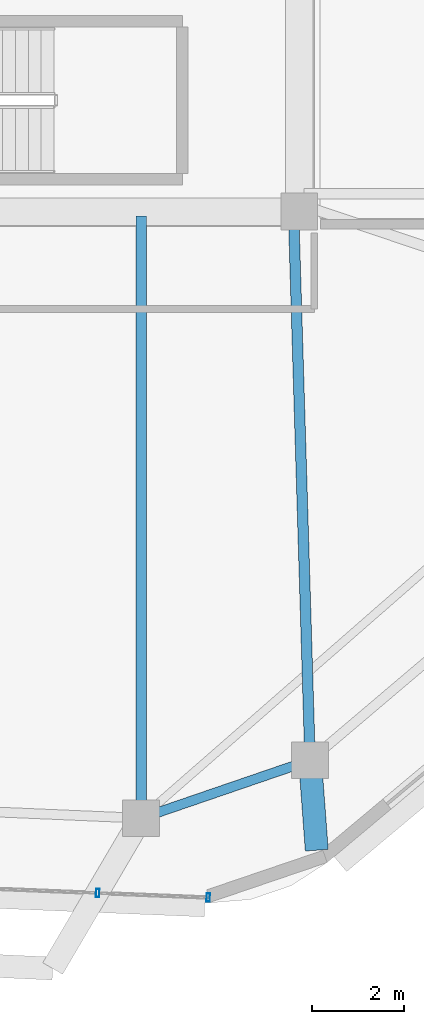
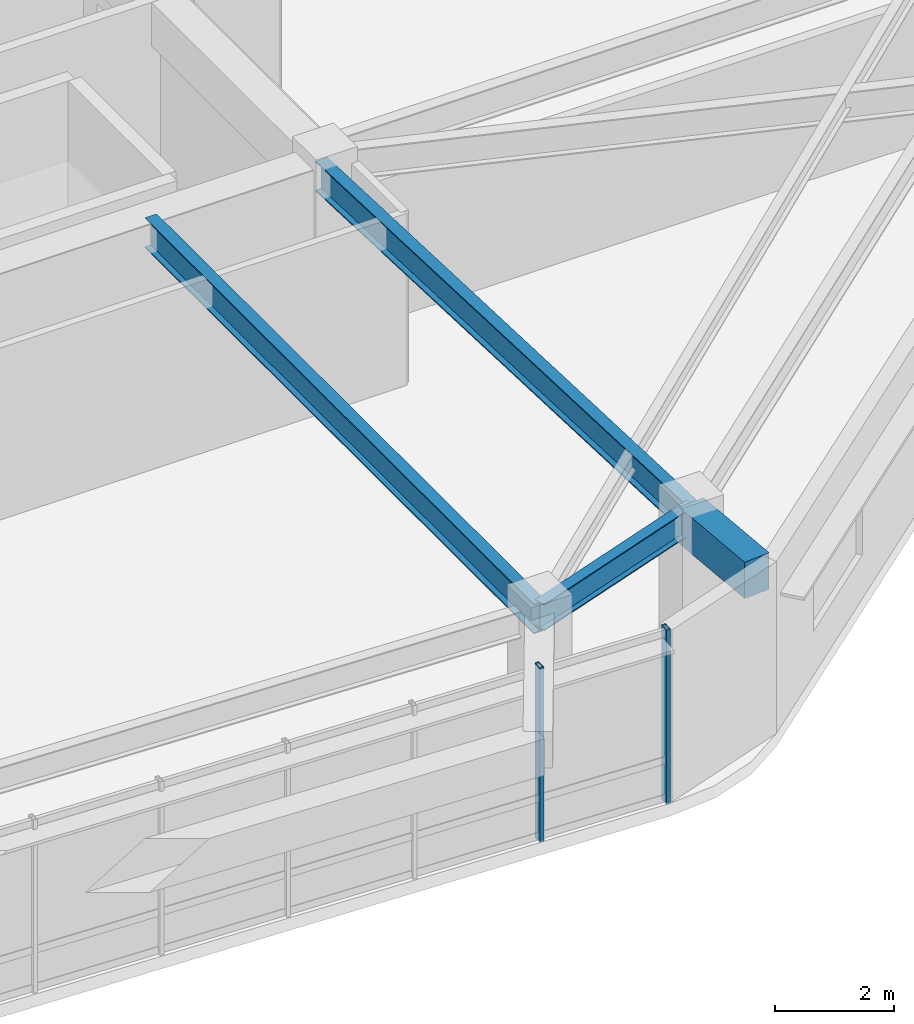
# One storey, part 5 of 13: 4 beams, 2 members, 1 element without a shape of its own.
"""IFC4 building model written with IfcOpenShell, lengths in metres."""

import ifcopenshell
import ifcopenshell.guid

model = None  # the IFC model being written
_history = None  # IfcOwnerHistory: only IFC2X3 demands one
_inside = {}  # id of a spatial element -> (the spatial element, [elements in it])
_under = {}  # id of a project, library or spatial element -> (it, [spatial elements below it])
_declared = {}  # id of a project -> (the project, [libraries it declares])
_typed = {}  # id of a type object -> (the type object, [elements of that type])
_made_of = {}  # id of a material, layer set ... -> (it, [elements and type objects made of it])


def new_model(schema):
    """Start an empty IFC model of exactly this schema.

    Asked for "IFC4X3", IfcOpenShell would pick the latest addendum, in which some entities
    have other attributes; the version numbers below select the first issue.
    IFC2X3 requires an IfcOwnerHistory on every rooted entity: one is made here for all.
    """
    global model, _history
    if schema == "IFC4X3":
        model = ifcopenshell.file(schema_version=(4, 3, 0, 0))
    else:
        model = ifcopenshell.file(schema=schema)
    _inside.clear()
    _under.clear()
    _declared.clear()
    _typed.clear()
    _made_of.clear()
    _history = None
    if model.schema == "IFC2X3":
        org = make("IfcOrganization", Name="unknown")
        user = make(
            "IfcPersonAndOrganization",
            ThePerson=make("IfcPerson", FamilyName="unknown"),
            TheOrganization=org,
        )
        app = make(
            "IfcApplication",
            ApplicationDeveloper=org,
            Version="unknown",
            ApplicationFullName="unknown",
            ApplicationIdentifier="unknown",
        )
        _history = make(
            "IfcOwnerHistory",
            OwningUser=user,
            OwningApplication=app,
            ChangeAction="ADDED",
            CreationDate=0,
        )
    return model


def make(cls, **values):
    """One entity of the class cls with the attributes given. An attribute that is None is left unset."""
    return model.create_entity(
        cls, **{name: value for name, value in values.items() if value is not None}
    )


def rooted(cls, **values):
    """An entity with a GlobalId (a new one), such as an element, a storey or a relation."""
    return make(cls, GlobalId=ifcopenshell.guid.new(), OwnerHistory=_history, **values)


def si_unit(unit_type, name, prefix=None):
    """IfcSIUnit, for example si_unit("LENGTHUNIT", "METRE", prefix="MILLI")."""
    return make("IfcSIUnit", UnitType=unit_type, Prefix=prefix, Name=name)


def assignment(units):
    """IfcUnitAssignment: the units of a project."""
    return None if units is None else make("IfcUnitAssignment", Units=units)


def point(xyz):
    """IfcCartesianPoint."""
    return None if xyz is None else make("IfcCartesianPoint", Coordinates=xyz)


def direction(xyz):
    """IfcDirection."""
    return None if xyz is None else make("IfcDirection", DirectionRatios=xyz)


def frame(location, z_axis=None, x_axis=None):
    """IfcAxis2Placement3D, a coordinate frame: its origin and axes. An axis left out is left unset."""
    return make(
        "IfcAxis2Placement3D",
        Location=point(location),
        Axis=direction(z_axis),
        RefDirection=direction(x_axis),
    )


def frame_2d(location, x_axis=None):
    """IfcAxis2Placement2D, a coordinate frame in the plane: its origin and x axis."""
    return make(
        "IfcAxis2Placement2D", Location=point(location), RefDirection=direction(x_axis)
    )


def origin():
    """The frame at (0, 0, 0) with its axes left unset."""
    return frame((0.0, 0.0, 0.0))


def origin_2d():
    """The frame at (0, 0) in the plane with its x axis left unset."""
    return frame_2d((0.0, 0.0))


def place(relative_to, where):
    """IfcLocalPlacement: puts the frame where relative to a parent placement (None: the world)."""
    return make(
        "IfcLocalPlacement", PlacementRelTo=relative_to, RelativePlacement=where
    )


def context(
    kind, dimensions, precision=None, world=None, true_north=None, identifier=None
):
    """IfcGeometricRepresentationContext, for example the 3D "Model" context."""
    return make(
        "IfcGeometricRepresentationContext",
        ContextIdentifier=identifier,
        ContextType=kind,
        CoordinateSpaceDimension=dimensions,
        Precision=precision,
        WorldCoordinateSystem=world,
        TrueNorth=true_north,
    )


def subcontext(parent, identifier, kind, view, scale=None):
    """IfcGeometricRepresentationSubContext, for example "Body" below "Model"."""
    return make(
        "IfcGeometricRepresentationSubContext",
        ContextIdentifier=identifier,
        ContextType=kind,
        ParentContext=parent,
        TargetScale=scale,
        TargetView=view,
    )


def project(units=None, contexts=None):
    """IfcProject with its units and contexts."""
    return rooted(
        "IfcProject",
        Name="project",
        RepresentationContexts=contexts,
        UnitsInContext=assignment(units),
    )


def spatial(cls, under=None, at=None, **own):
    """A site, building, storey or space (cls), placed at a placement, below another one or the project."""
    s = rooted(cls, ObjectPlacement=at, **own)
    if under is not None:
        _under.setdefault(under.id(), (under, []))[1].append(s)
    return s


def profile(cls, at=None, kind="AREA", **sizes):
    """A parametric profile (cls). Its sizes go by their IFC names, for example OverallWidth=200.0."""
    return make(cls, ProfileType=kind, Position=at, **sizes)


def rectangle(**sizes):
    """IfcRectangleProfileDef."""
    return profile("IfcRectangleProfileDef", **sizes)


def hollow_rectangle(**sizes):
    """IfcRectangleHollowProfileDef."""
    return profile("IfcRectangleHollowProfileDef", **sizes)


def i_section(**sizes):
    """IfcIShapeProfileDef."""
    return profile("IfcIShapeProfileDef", **sizes)


def extrude(swept, where, along, depth):
    """IfcExtrudedAreaSolid: the profile swept, set in the frame where, extruded along a direction by depth."""
    return make(
        "IfcExtrudedAreaSolid",
        SweptArea=swept,
        Position=where,
        ExtrudedDirection=direction(along),
        Depth=depth,
    )


def shape(context_of_items, identifier, shape_type, items):
    """IfcShapeRepresentation: the items that make up one representation, for example the "Body"."""
    return make(
        "IfcShapeRepresentation",
        ContextOfItems=context_of_items,
        RepresentationIdentifier=identifier,
        RepresentationType=shape_type,
        Items=items,
    )


def material(Name=None, Category=None):
    """IfcMaterial."""
    return make("IfcMaterial", Name=Name, Category=Category)


def material_profile(
    of_material, cross_section, Name=None, Category=None, Priority=None
):
    """IfcMaterialProfile: a cross section and its material."""
    return make(
        "IfcMaterialProfile",
        Name=Name,
        Material=of_material,
        Profile=cross_section,
        Priority=Priority,
        Category=Category,
    )


def profile_set(profiles, Name=None, composite=None):
    """IfcMaterialProfileSet."""
    return make(
        "IfcMaterialProfileSet",
        Name=Name,
        MaterialProfiles=profiles,
        CompositeProfile=composite,
    )


def made_of(thing, what):
    """Note that an element or type object is made of a material, layer set ...; save() writes the relation."""
    if what is not None:
        _made_of.setdefault(what.id(), (what, []))[1].append(thing)
    return thing


def type_object(cls, material=None, **own):
    """A type object (cls), such as IfcWallType, which elements share."""
    return made_of(rooted(cls, **own), material)


def element(
    cls,
    number,
    at=None,
    inside=None,
    cuts=None,
    type_object=None,
    material=None,
    context=None,
    identifier="Body",
    shape_type=None,
    held_by="IfcProductDefinitionShape",
    body=None,
    shapes=None,
    **own,
):
    """One element of the class cls, such as IfcWall. Its Tag is "e" and its number.

    at: its placement. inside: the storey or other place that contains it. cuts: it is an
    opening in that element (IfcRelVoidsElement). A single representation is given by context,
    identifier, shape_type and body (its items); several are given by shapes. held_by: the class
    of the entity that holds the representations. save() writes the other relations.
    """
    e = rooted(cls, Tag="e%d" % number, ObjectPlacement=at, **own)
    if body is not None:
        shapes = [shape(context, identifier, shape_type, body)]
    if shapes is not None:
        e.Representation = make(held_by, Representations=shapes)
    if inside is not None:
        _inside.setdefault(inside.id(), (inside, []))[1].append(e)
    if cuts is not None:
        rooted(
            "IfcRelVoidsElement", RelatingBuildingElement=cuts, RelatedOpeningElement=e
        )
    if type_object is not None:
        _typed.setdefault(type_object.id(), (type_object, []))[1].append(e)
    return made_of(e, material)


def aggregate(whole, parts):
    """IfcRelAggregates: a whole, such as a stair, and the parts it consists of."""
    return rooted("IfcRelAggregates", RelatingObject=whole, RelatedObjects=parts)


def save(model, path):
    """Write the relations noted so far, then the file.

    IfcRelAggregates (storeys below a building ...), IfcRelContainedInSpatialStructure (elements
    in a storey), IfcRelDefinesByType, IfcRelAssociatesMaterial and IfcRelDeclares: one each for
    every whole, place, type object, material and project.
    """
    for whole, parts in _under.values():
        aggregate(whole, parts)
    for where, things in _inside.values():
        rooted(
            "IfcRelContainedInSpatialStructure",
            RelatedElements=things,
            RelatingStructure=where,
        )
    for kind, things in _typed.values():
        rooted("IfcRelDefinesByType", RelatedObjects=things, RelatingType=kind)
    for what, things in _made_of.values():
        rooted("IfcRelAssociatesMaterial", RelatedObjects=things, RelatingMaterial=what)
    for by, libraries in _declared.values():
        rooted("IfcRelDeclares", RelatingContext=by, RelatedDefinitions=libraries)
    model.write(path)


model = new_model("IFC4")

# Units and contexts
model_context = context("Model", 3, precision=1e-05, world=origin(), true_north=direction((0.0, 1.0)))
body_context = subcontext(model_context, "Body", "Model", "MODEL_VIEW")
ifc_project = project(units=[si_unit("LENGTHUNIT", "METRE"), si_unit("AREAUNIT", "SQUARE_METRE"), si_unit("VOLUMEUNIT", "CUBIC_METRE"), si_unit("PLANEANGLEUNIT", "RADIAN"), si_unit("MASSUNIT", "GRAM", prefix="KILO")], contexts=[model_context])

# Site, building, storey
site_placement = place(None, origin())
site = spatial("IfcSite", under=ifc_project, at=site_placement, CompositionType="ELEMENT")
building_placement = place(site_placement, origin())
building = spatial("IfcBuilding", under=site, at=building_placement, Name="Zulverin Broadcast Headquarters", CompositionType="ELEMENT")
storey_placement = place(building_placement, frame((0.0, 0.0, 278.199951171875)))
storey = spatial("IfcBuildingStorey", under=building, at=storey_placement, Name="L71", CompositionType="ELEMENT", Elevation=278.199951171875)

# Beams
ifc_material_1 = material(Name="Concrete C40/50", Category="concrete")
ifc_material_profile_1 = material_profile(ifc_material_1, rectangle(XDim=0.5, YDim=0.75, at=origin_2d()), Name="Concrete C40/50", Category="concrete")
ifc_profile_set_1 = profile_set([ifc_material_profile_1], Name="Concrete C40/50")
beam_type_1 = type_object("IfcBeamType", Name="BM-RC-500x750", PredefinedType="BEAM", material=ifc_profile_set_1)
beam_1_placement = place(storey_placement, frame((48.5078125, 5.3701171875, 3.1650390625), z_axis=(0.074434680239, -0.997225891349, 0.0), x_axis=(0.997225891349, 0.074434680239, 0.0)))
element("IfcBeam", 1, at=beam_1_placement, inside=storey, type_object=beam_type_1, Name="L72 Plate Overhang Back-Spanned Beam OVR-03", PredefinedType="BEAM", context=body_context, shape_type="SweptSolid", body=[
    extrude(rectangle(XDim=0.5, YDim=0.75, at=origin_2d()), origin(), (0.0, 0.0, 1.0), 1.964599609375),
])
ifc_material_2 = material(Name="Structural steel S355JR", Category="steel")
ifc_material_profile_2 = material_profile(ifc_material_2, i_section(OverallWidth=0.2119140625, OverallDepth=0.54443359375, WebThickness=0.0126953125, FlangeThickness=0.021240234375, at=origin_2d()), Name="Structural steel S355JR", Category="steel")
ifc_profile_set_2 = profile_set([ifc_material_profile_2], Name="Structural steel S355JR")
beam_type_2 = type_object("IfcBeamType", Name="BM-UB-533", PredefinedType="SPANDREL", material=ifc_profile_set_2)
beam_2_placement = place(storey_placement, frame((44.826904296875, 4.1083984375, 3.267822265625), z_axis=(0.945970142065, 0.324253743728, 0.0), x_axis=(-0.324253743728, 0.945970142065, 0.0)))
element("IfcBeam", 2, at=beam_2_placement, inside=storey, type_object=beam_type_2, Name="L71 Perimeter Spandrel Beam SP-02", PredefinedType="SPANDREL", context=body_context, shape_type="SweptSolid", body=[
    extrude(i_section(OverallWidth=0.2119140625, OverallDepth=0.54443359375, WebThickness=0.0126953125, FlangeThickness=0.021240234375, at=origin_2d()), origin(), (0.0, 0.0, 1.0), 3.89111328125),
])
ifc_material_profile_3 = material_profile(ifc_material_2, i_section(OverallWidth=0.230224609375, OverallDepth=0.6171875, WebThickness=0.01318359375, FlangeThickness=0.022216796875, at=origin_2d()), Name="Structural steel S355JR", Category="steel")
ifc_profile_set_3 = profile_set([ifc_material_profile_3], Name="Structural steel S355JR")
beam_type_3 = type_object("IfcBeamType", Name="BM-UB-610", PredefinedType="BEAM", material=ifc_profile_set_3)
beam_3_placement = place(storey_placement, frame((44.826904296875, 17.22509765625, 3.2314453125), z_axis=(0.0, -1.0, 0.0), x_axis=(1.0, 0.0, 0.0)))
element("IfcBeam", 3, at=beam_3_placement, inside=storey, type_object=beam_type_3, Name="L71 Radial Primary Floor Beam RB-02", PredefinedType="BEAM", context=body_context, shape_type="SweptSolid", body=[
    extrude(i_section(OverallWidth=0.230224609375, OverallDepth=0.6171875, WebThickness=0.01318359375, FlangeThickness=0.022216796875, at=origin_2d()), origin(), (0.0, 0.0, 1.0), 13.11669921875),
])
beam_4_placement = place(storey_placement, frame((48.14990234375, 17.22509765625, 3.2314453125), z_axis=(0.030176950096, -0.999544572134, 0.0), x_axis=(0.999544572134, 0.030176950096, 0.0)))
element("IfcBeam", 4, at=beam_4_placement, inside=storey, type_object=beam_type_3, Name="L71 Radial Primary Floor Beam RB-03", PredefinedType="BEAM", context=body_context, shape_type="SweptSolid", body=[
    extrude(i_section(OverallWidth=0.230224609375, OverallDepth=0.6171875, WebThickness=0.01318359375, FlangeThickness=0.022216796875, at=origin_2d()), origin(), (0.0, 0.0, 1.0), 11.8603515625),
])

# Curtain wall, members
ifc_material_3 = material(Name="High-zone solar-control unitised curtain wall", Category="aluminium")
curtain_wall_type = type_object("IfcCurtainWallType", Name="CW-TWR-UPP", PredefinedType="USERDEFINED", material=ifc_material_3)
curtain_wall_placement = place(storey_placement, origin())
curtain_wall = element("IfcCurtainWall", 5, at=curtain_wall_placement, inside=storey, type_object=curtain_wall_type, Name="L71 Unitised Curtain Wall CW-L71-E1", ObjectType="UNITISED CURTAIN WALL", PredefinedType="USERDEFINED")
ifc_material_4 = material(Name="Anodized pale-metal aluminium alloy 6063-T6", Category="aluminium")
ifc_material_profile_4 = material_profile(ifc_material_4, hollow_rectangle(XDim=0.074951171875, YDim=0.179931640625, WallThickness=0.0048828125, at=origin_2d()), Name="Anodized pale-metal aluminium alloy 6063-T6", Category="aluminium")
ifc_profile_set_4 = profile_set([ifc_material_profile_4], Name="Anodized pale-metal aluminium alloy 6063-T6")
member_type = type_object("IfcMemberType", Name="CW-MUL-180", PredefinedType="MULLION", material=ifc_profile_set_4)
member_1_placement = place(storey_placement, frame((43.880615234375, 2.479248046875, -0.030029296875), z_axis=(0.0, 0.0, 1.0), x_axis=(0.99915627139, -0.041070005388, 0.0)))
member_1 = element("IfcMember", 6, at=member_1_placement, type_object=member_type, Name="CW-L71-E1 Mullion 06", PredefinedType="MULLION", context=body_context, shape_type="SweptSolid", body=[
    extrude(hollow_rectangle(XDim=0.074951171875, YDim=0.179931640625, WallThickness=0.0048828125, at=origin_2d()), origin(), (0.0, 0.0, 1.0), 3.60009765625),
])
member_2_placement = place(storey_placement, frame((46.289306640625, 2.380126953125, -0.030029296875), z_axis=(0.0, 0.0, 1.0), x_axis=(0.99915627139, -0.041070005388, 0.0)))
member_2 = element("IfcMember", 7, at=member_2_placement, type_object=member_type, Name="CW-L71-E1 Mullion 07", PredefinedType="MULLION", context=body_context, shape_type="SweptSolid", body=[
    extrude(hollow_rectangle(XDim=0.074951171875, YDim=0.179931640625, WallThickness=0.0048828125, at=origin_2d()), origin(), (0.0, 0.0, 1.0), 3.60009765625),
])
aggregate(curtain_wall, [member_1, member_2])

save(model, "model.ifc")
